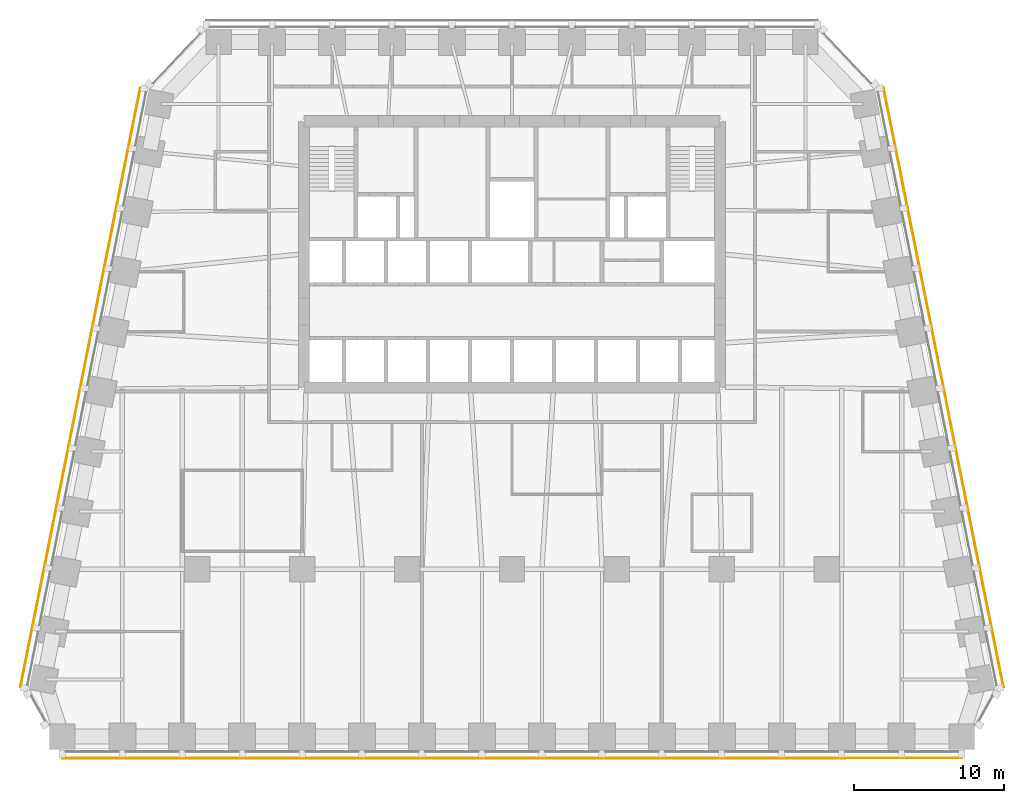
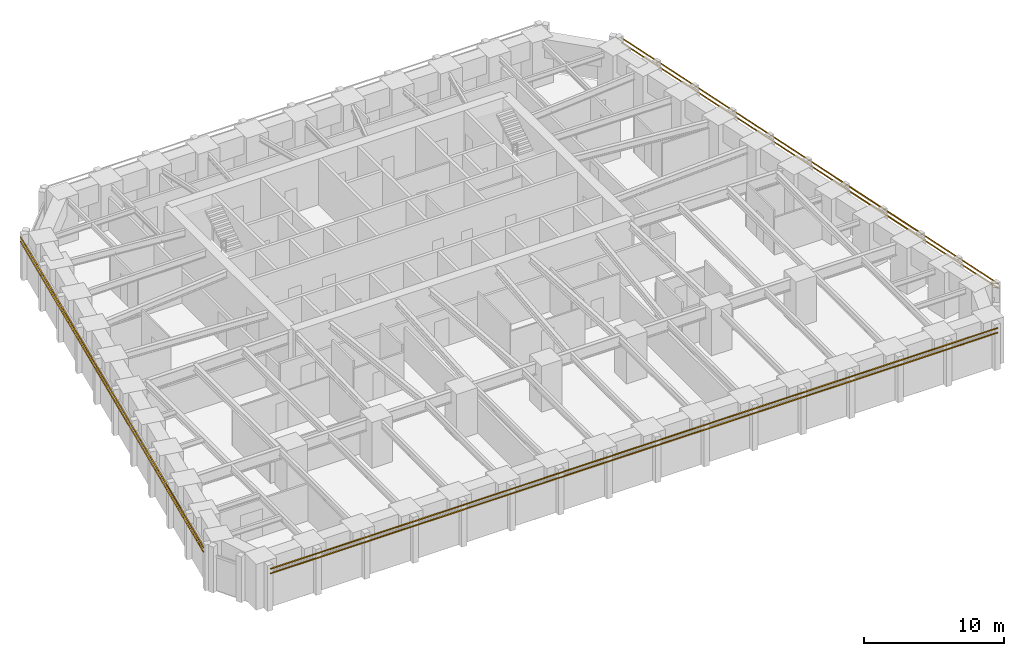
# One storey, part 9 of 10: 6 shading devices.
"""IFC4 building model written with IfcOpenShell, lengths in metres."""

from ifc_helpers import new_model, si_unit, direction, frame, origin, origin_2d, place, context, subcontext, project, spatial, rectangle, extrude, material, material_profile, profile_set, type_object, element, save


model = new_model("IFC4")

# Units and contexts
model_context = context("Model", 3, precision=1e-05, world=origin(), true_north=direction((0.0, 1.0)))
body_context = subcontext(model_context, "Body", "Model", "MODEL_VIEW")
ifc_project = project(units=[si_unit("LENGTHUNIT", "METRE"), si_unit("AREAUNIT", "SQUARE_METRE"), si_unit("VOLUMEUNIT", "CUBIC_METRE"), si_unit("PLANEANGLEUNIT", "RADIAN"), si_unit("MASSUNIT", "GRAM", prefix="KILO")], contexts=[model_context])

# Site, building, storey
site_placement = place(None, origin())
site = spatial("IfcSite", under=ifc_project, at=site_placement, CompositionType="ELEMENT")
building_placement = place(site_placement, origin())
building = spatial("IfcBuilding", under=site, at=building_placement, Name="Isbrekke Arena Tower", CompositionType="ELEMENT")
storey_placement = place(building_placement, frame((0.0, 0.0, 151.0)))
storey = spatial("IfcBuildingStorey", under=building, at=storey_placement, Name="L34", CompositionType="ELEMENT", Elevation=151.0)

# Shading devices
ifc_material = material(Name="Terracotta", Category="masonry")
ifc_material_profile = material_profile(ifc_material, rectangle(XDim=0.06005859375, YDim=0.06005859375, at=origin_2d()), Name="BAGUETTE 60X60")
ifc_profile_set = profile_set([ifc_material_profile], Name="Terracotta")
shading_device_type = type_object("IfcShadingDeviceType", Name="BG1 TERRACOTTA BAGUETTE 60 x 60", PredefinedType="USERDEFINED", material=ifc_profile_set)
for number, where, z_axis, x_axis, name in (
    (1, (-30.0, -18.60498046875, 3.280029296875), (1.0, 0.0, 0.0), (0.0, 1.0, 0.0), "BG1 terracotta baguette S1 L34"),
    (2, (-30.0, -18.60498046875, 3.679931640625), (1.0, 0.0, 0.0), (0.0, 1.0, 0.0), "BG1 terracotta baguette S2 L34"),
):
    element("IfcShadingDevice", number, at=place(storey_placement, frame(where, z_axis=z_axis, x_axis=x_axis)), inside=storey, type_object=shading_device_type, Name=name, ObjectType="TERRACOTTA BAGUETTE", PredefinedType="USERDEFINED", context=body_context, shape_type="SweptSolid", body=[
        extrude(rectangle(XDim=0.06005859375, YDim=0.06005859375, at=origin_2d()), origin(), (0.0, 0.0, 1.0), 60.0),
    ])
for number, where, z_axis, x_axis, name in (
    (3, (32.793212890625, -13.88134765625, 3.280029296875), (-0.196116135138, 0.980580675691, 0.0), (-0.980580675691, -0.196116135138, 0.0), "BG1 terracotta baguette E1 L34"),
    (4, (32.793212890625, -13.88134765625, 3.679931640625), (-0.196116135138, 0.980580675691, 0.0), (-0.980580675691, -0.196116135138, 0.0), "BG1 terracotta baguette E2 L34"),
    (5, (-24.793212890625, 26.11865234375, 3.280029296875), (-0.196116135138, -0.980580675691, 0.0), (0.980580675691, -0.196116135138, 0.0), "BG1 terracotta baguette W1 L34"),
    (6, (-24.793212890625, 26.11865234375, 3.679931640625), (-0.196116135138, -0.980580675691, 0.0), (0.980580675691, -0.196116135138, 0.0), "BG1 terracotta baguette W2 L34"),
):
    element("IfcShadingDevice", number, at=place(storey_placement, frame(where, z_axis=z_axis, x_axis=x_axis)), inside=storey, type_object=shading_device_type, Name=name, ObjectType="TERRACOTTA BAGUETTE", PredefinedType="USERDEFINED", context=body_context, shape_type="SweptSolid", body=[
        extrude(rectangle(XDim=0.06005859375, YDim=0.06005859375, at=origin_2d()), origin(), (0.0, 0.0, 1.0), 40.792236328125),
    ])

save(model, "model.ifc")
